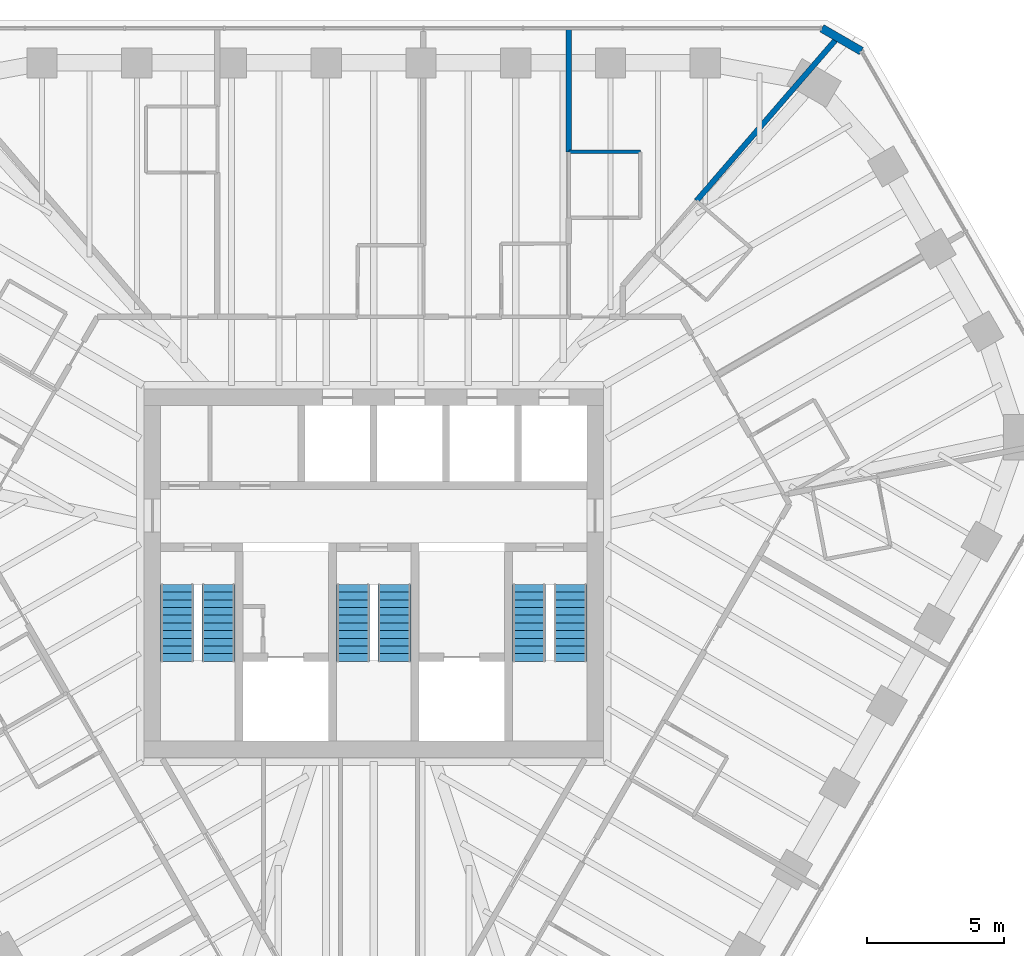
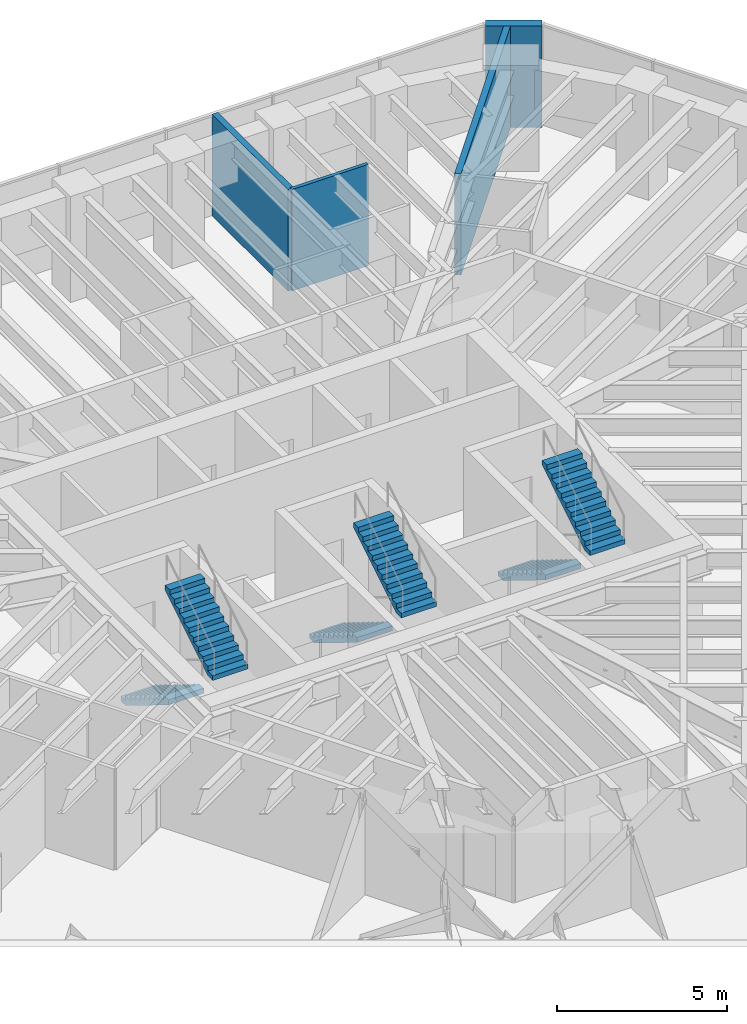
# One storey, part 13 of 14: 6 stair flights, 4 walls, 3 elements without a shape of their own.
"""IFC4 building model written with IfcOpenShell, lengths in metres."""

from ifc_helpers import new_model, si_unit, direction, frame, frame_2d, origin, place, context, subcontext, project, spatial, polyline, rectangle, outline, extrude, material, layer, layer_set, type_object, element, aggregate, save


model = new_model("IFC4")

# Units and contexts
model_context = context("Model", 3, precision=1e-05, world=origin(), true_north=direction((0.0, 1.0)))
body_context = subcontext(model_context, "Body", "Model", "MODEL_VIEW")
ifc_project = project(units=[si_unit("LENGTHUNIT", "METRE"), si_unit("AREAUNIT", "SQUARE_METRE"), si_unit("VOLUMEUNIT", "CUBIC_METRE"), si_unit("PLANEANGLEUNIT", "RADIAN"), si_unit("MASSUNIT", "GRAM", prefix="KILO")], contexts=[model_context])

# Site, building, storey
site_placement = place(None, origin())
site = spatial("IfcSite", under=ifc_project, at=site_placement, CompositionType="ELEMENT")
building_placement = place(site_placement, origin())
building = spatial("IfcBuilding", under=site, at=building_placement, Name="Sandreach Pilgrim Tower", CompositionType="ELEMENT")
storey_placement = place(building_placement, frame((0.0, 0.0, 276.0)))
storey = spatial("IfcBuildingStorey", under=building, at=storey_placement, Name="L69", CompositionType="ELEMENT", Elevation=276.0)

# Walls
ifc_material_1 = material(Name="Moisture-resistant gypsum board on steel studs", Category="steel")
ifc_layer_1 = layer(ifc_material_1, 0.1201171875)
ifc_layer_set_1 = layer_set([ifc_layer_1], Name="Bathroom partition 120")
wall_type_1 = type_object("IfcWallType", Name="Bathroom partition 120", PredefinedType="PARTITIONING", material=ifc_layer_set_1)
wall_1_placement = place(storey_placement, frame((9.699951171875, 15.330078125, 0.0), z_axis=(0.0, 0.0, 1.0), x_axis=(-1.0, 0.0, 0.0)))
element("IfcWall", 1, at=wall_1_placement, inside=storey, type_object=wall_type_1, Name="Bathroom partition L69-095", PredefinedType="PARTITIONING", context=body_context, shape_type="SweptSolid", body=[
    extrude(rectangle(XDim=2.599853515625, YDim=0.1201171875, at=frame_2d((1.2998046875, 0.0))), origin(), (0.0, 0.0, 1.0), 3.639892578125),
])
ifc_material_2 = material(Name="Double steel stud acoustic wall, gypsum board", Category="steel")
ifc_layer_2 = layer(ifc_material_2, 0.199951171875)
ifc_layer_set_2 = layer_set([ifc_layer_2], Name="Party wall 200")
wall_type_2 = type_object("IfcWallType", Name="Party wall 200", PredefinedType="PARTITIONING", material=ifc_layer_set_2)
wall_2_placement = place(storey_placement, frame((7.10009765625, 19.800048828125, 0.0), z_axis=(0.0, 0.0, 1.0), x_axis=(0.0, -1.0, 0.0)))
element("IfcWall", 2, at=wall_2_placement, inside=storey, type_object=wall_type_2, Name="Party wall L69-086", PredefinedType="PARTITIONING", context=body_context, shape_type="SweptSolid", body=[
    extrude(rectangle(XDim=4.469970703125, YDim=0.199951171875, at=frame_2d((2.23486328125, 0.0))), origin(), (0.0, 0.0, 1.0), 3.639892578125),
])
wall_3_placement = place(storey_placement, frame((11.739990234375, 13.550048828125, 0.0), z_axis=(0.0, 0.0, 1.0), x_axis=(0.654017705967, 0.756479239822, 0.0)))
element("IfcWall", 3, at=wall_3_placement, inside=storey, type_object=wall_type_2, Name="Party wall L69-102", PredefinedType="PARTITIONING", context=body_context, shape_type="SweptSolid", body=[
    extrude(rectangle(XDim=7.875, YDim=0.199951171875, at=frame_2d((3.9375, 0.0))), origin(), (0.0, 0.0, 1.0), 3.639892578125),
])
ifc_material_3 = material(Name="Terracotta rainscreen on concrete", Category="masonry")
ifc_layer_3 = layer(ifc_material_3, 0.300048828125)
ifc_layer_set_3 = layer_set([ifc_layer_3], Name="Terracotta chamfer pier")
wall_type_3 = type_object("IfcWallType", Name="Terracotta chamfer pier", PredefinedType="SOLIDWALL", material=ifc_layer_set_3)
wall_4_placement = place(storey_placement, frame((16.29833984375, 19.826416015625, 0.0), z_axis=(0.0, 0.0, 1.0), x_axis=(0.866026405774, -0.499998264499, 0.0)))
element("IfcWall", 4, at=wall_4_placement, inside=storey, type_object=wall_type_3, Name="Chamfer pier L69 N", PredefinedType="SOLIDWALL", context=body_context, shape_type="SweptSolid", body=[
    extrude(rectangle(XDim=1.66015625, YDim=0.300048828125, at=frame_2d((0.830078125, 0.0))), origin(), (0.0, 0.0, 1.0), 3.639892578125),
])

# Stair, stair flights
ifc_material_4 = material(Name="Concrete 8000 psi", Category="concrete")
stair_type = type_object("IfcStairType", Name="Core exit stair", PredefinedType="HALF_TURN_STAIR", material=ifc_material_4)
stair_1_placement = place(storey_placement, origin())
stair_1 = element("IfcStair", 5, at=stair_1_placement, inside=storey, type_object=stair_type, Name="Exit stair ST1 L69", PredefinedType="HALF_TURN_STAIR")
ifc_material_5 = material(Name="Concrete 8000 psi", Category="concrete")
stair_flight_type = type_object("IfcStairFlightType", Name="Core stair flight 1200", PredefinedType="STRAIGHT", material=ifc_material_5)
stair_flight_1_placement = place(storey_placement, frame((-7.14990234375, -0.39990234375, 0.0), z_axis=(0.0, 0.0, 1.0), x_axis=(0.0, -1.0, 0.0)))
stair_flight_1 = element("IfcStairFlight", 6, at=stair_flight_1_placement, type_object=stair_flight_type, Name="ST1 flight 1", NumberOfRisers=11, NumberOfTreads=10, PredefinedType="STRAIGHT", RiserHeight=0.172727273, TreadLength=0.28, context=body_context, shape_type="SweptSolid", body=[
    extrude(outline(polyline([(0.0, 0.0), (0.0, 0.172607421875), (0.280029296875, 0.172607421875), (0.280029296875, 0.345458984375), (0.56005859375, 0.345458984375), (0.56005859375, 0.51806640625), (0.840087890625, 0.51806640625), (0.840087890625, 0.69091796875), (1.1201171875, 0.69091796875), (1.1201171875, 0.863525390625), (1.39990234375, 0.863525390625), (1.39990234375, 1.036376953125), (1.679931640625, 1.036376953125), (1.679931640625, 1.208984375), (1.9599609375, 1.208984375), (1.9599609375, 1.3818359375), (2.239990234375, 1.3818359375), (2.239990234375, 1.554443359375), (2.52001953125, 1.554443359375), (2.52001953125, 1.727294921875), (2.800048828125, 1.727294921875), (2.800048828125, 1.89990234375), (2.800048828125, 1.551025390625), (0.285400390625, 0.0), (0.0, 0.0)])), frame((0.0, 0.60009765625, 0.0), z_axis=(0.0, -1.0, 0.0), x_axis=(1.0, 0.0, 0.0)), (0.0, 0.0, 1.0), 1.199951171875),
])
stair_flight_2_placement = place(storey_placement, frame((-5.64990234375, -3.199951171875, 1.89990234375), z_axis=(0.0, 0.0, 1.0), x_axis=(0.0, 1.0, 0.0)))
stair_flight_2 = element("IfcStairFlight", 7, at=stair_flight_2_placement, type_object=stair_flight_type, Name="ST1 flight 2", NumberOfRisers=11, NumberOfTreads=10, PredefinedType="STRAIGHT", RiserHeight=0.172727273, TreadLength=0.28, context=body_context, shape_type="SweptSolid", body=[
    extrude(outline(polyline([(0.0, 0.0), (0.0, 0.172607421875), (0.280029296875, 0.172607421875), (0.280029296875, 0.345458984375), (0.56005859375, 0.345458984375), (0.56005859375, 0.51806640625), (0.840087890625, 0.51806640625), (0.840087890625, 0.69091796875), (1.1201171875, 0.69091796875), (1.1201171875, 0.863525390625), (1.39990234375, 0.863525390625), (1.39990234375, 1.036376953125), (1.679931640625, 1.036376953125), (1.679931640625, 1.208984375), (1.9599609375, 1.208984375), (1.9599609375, 1.3818359375), (2.239990234375, 1.3818359375), (2.239990234375, 1.554443359375), (2.52001953125, 1.554443359375), (2.52001953125, 1.727294921875), (2.800048828125, 1.727294921875), (2.800048828125, 1.89990234375), (2.800048828125, 1.551025390625), (0.285400390625, 0.0), (0.0, 0.0)])), frame((0.0, 0.60009765625, 0.0), z_axis=(0.0, -1.0, 0.0), x_axis=(1.0, 0.0, 0.0)), (0.0, 0.0, 1.0), 1.199951171875),
])
aggregate(stair_1, [stair_flight_1, stair_flight_2])

stair_2_placement = place(storey_placement, origin())
stair_2 = element("IfcStair", 8, at=stair_2_placement, inside=storey, type_object=stair_type, Name="Exit stair ST3 L69", PredefinedType="HALF_TURN_STAIR")
stair_flight_3_placement = place(storey_placement, frame((-0.75, -0.39990234375, 0.0), z_axis=(0.0, 0.0, 1.0), x_axis=(0.0, -1.0, 0.0)))
stair_flight_3 = element("IfcStairFlight", 9, at=stair_flight_3_placement, type_object=stair_flight_type, Name="ST3 flight 1", NumberOfRisers=11, NumberOfTreads=10, PredefinedType="STRAIGHT", RiserHeight=0.172727273, TreadLength=0.28, context=body_context, shape_type="SweptSolid", body=[
    extrude(outline(polyline([(0.0, 0.0), (0.0, 0.172607421875), (0.280029296875, 0.172607421875), (0.280029296875, 0.345458984375), (0.56005859375, 0.345458984375), (0.56005859375, 0.51806640625), (0.840087890625, 0.51806640625), (0.840087890625, 0.69091796875), (1.1201171875, 0.69091796875), (1.1201171875, 0.863525390625), (1.39990234375, 0.863525390625), (1.39990234375, 1.036376953125), (1.679931640625, 1.036376953125), (1.679931640625, 1.208984375), (1.9599609375, 1.208984375), (1.9599609375, 1.3818359375), (2.239990234375, 1.3818359375), (2.239990234375, 1.554443359375), (2.52001953125, 1.554443359375), (2.52001953125, 1.727294921875), (2.800048828125, 1.727294921875), (2.800048828125, 1.89990234375), (2.800048828125, 1.551025390625), (0.285400390625, 0.0), (0.0, 0.0)])), frame((0.0, 0.60009765625, 0.0), z_axis=(0.0, -1.0, 0.0), x_axis=(1.0, 0.0, 0.0)), (0.0, 0.0, 1.0), 1.199951171875),
])
stair_flight_4_placement = place(storey_placement, frame((0.75, -3.199951171875, 1.89990234375), z_axis=(0.0, 0.0, 1.0), x_axis=(0.0, 1.0, 0.0)))
stair_flight_4 = element("IfcStairFlight", 10, at=stair_flight_4_placement, type_object=stair_flight_type, Name="ST3 flight 2", NumberOfRisers=11, NumberOfTreads=10, PredefinedType="STRAIGHT", RiserHeight=0.172727273, TreadLength=0.28, context=body_context, shape_type="SweptSolid", body=[
    extrude(outline(polyline([(0.0, 0.0), (0.0, 0.172607421875), (0.280029296875, 0.172607421875), (0.280029296875, 0.345458984375), (0.56005859375, 0.345458984375), (0.56005859375, 0.51806640625), (0.840087890625, 0.51806640625), (0.840087890625, 0.69091796875), (1.1201171875, 0.69091796875), (1.1201171875, 0.863525390625), (1.39990234375, 0.863525390625), (1.39990234375, 1.036376953125), (1.679931640625, 1.036376953125), (1.679931640625, 1.208984375), (1.9599609375, 1.208984375), (1.9599609375, 1.3818359375), (2.239990234375, 1.3818359375), (2.239990234375, 1.554443359375), (2.52001953125, 1.554443359375), (2.52001953125, 1.727294921875), (2.800048828125, 1.727294921875), (2.800048828125, 1.89990234375), (2.800048828125, 1.551025390625), (0.285400390625, 0.0), (0.0, 0.0)])), frame((0.0, 0.60009765625, 0.0), z_axis=(0.0, -1.0, 0.0), x_axis=(1.0, 0.0, 0.0)), (0.0, 0.0, 1.0), 1.199951171875),
])
aggregate(stair_2, [stair_flight_3, stair_flight_4])

stair_3_placement = place(storey_placement, origin())
stair_3 = element("IfcStair", 11, at=stair_3_placement, inside=storey, type_object=stair_type, Name="Exit stair ST2 L69", PredefinedType="HALF_TURN_STAIR")
stair_flight_5_placement = place(storey_placement, frame((5.64990234375, -0.39990234375, 0.0), z_axis=(0.0, 0.0, 1.0), x_axis=(0.0, -1.0, 0.0)))
stair_flight_5 = element("IfcStairFlight", 12, at=stair_flight_5_placement, type_object=stair_flight_type, Name="ST2 flight 1", NumberOfRisers=11, NumberOfTreads=10, PredefinedType="STRAIGHT", RiserHeight=0.172727273, TreadLength=0.28, context=body_context, shape_type="SweptSolid", body=[
    extrude(outline(polyline([(0.0, 0.0), (0.0, 0.172607421875), (0.280029296875, 0.172607421875), (0.280029296875, 0.345458984375), (0.56005859375, 0.345458984375), (0.56005859375, 0.51806640625), (0.840087890625, 0.51806640625), (0.840087890625, 0.69091796875), (1.1201171875, 0.69091796875), (1.1201171875, 0.863525390625), (1.39990234375, 0.863525390625), (1.39990234375, 1.036376953125), (1.679931640625, 1.036376953125), (1.679931640625, 1.208984375), (1.9599609375, 1.208984375), (1.9599609375, 1.3818359375), (2.239990234375, 1.3818359375), (2.239990234375, 1.554443359375), (2.52001953125, 1.554443359375), (2.52001953125, 1.727294921875), (2.800048828125, 1.727294921875), (2.800048828125, 1.89990234375), (2.800048828125, 1.551025390625), (0.285400390625, 0.0), (0.0, 0.0)])), frame((0.0, 0.60009765625, 0.0), z_axis=(0.0, -1.0, 0.0), x_axis=(1.0, 0.0, 0.0)), (0.0, 0.0, 1.0), 1.199951171875),
])
stair_flight_6_placement = place(storey_placement, frame((7.14990234375, -3.199951171875, 1.89990234375), z_axis=(0.0, 0.0, 1.0), x_axis=(0.0, 1.0, 0.0)))
stair_flight_6 = element("IfcStairFlight", 13, at=stair_flight_6_placement, type_object=stair_flight_type, Name="ST2 flight 2", NumberOfRisers=11, NumberOfTreads=10, PredefinedType="STRAIGHT", RiserHeight=0.172727273, TreadLength=0.28, context=body_context, shape_type="SweptSolid", body=[
    extrude(outline(polyline([(0.0, 0.0), (0.0, 0.172607421875), (0.280029296875, 0.172607421875), (0.280029296875, 0.345458984375), (0.56005859375, 0.345458984375), (0.56005859375, 0.51806640625), (0.840087890625, 0.51806640625), (0.840087890625, 0.69091796875), (1.1201171875, 0.69091796875), (1.1201171875, 0.863525390625), (1.39990234375, 0.863525390625), (1.39990234375, 1.036376953125), (1.679931640625, 1.036376953125), (1.679931640625, 1.208984375), (1.9599609375, 1.208984375), (1.9599609375, 1.3818359375), (2.239990234375, 1.3818359375), (2.239990234375, 1.554443359375), (2.52001953125, 1.554443359375), (2.52001953125, 1.727294921875), (2.800048828125, 1.727294921875), (2.800048828125, 1.89990234375), (2.800048828125, 1.551025390625), (0.285400390625, 0.0), (0.0, 0.0)])), frame((0.0, 0.60009765625, 0.0), z_axis=(0.0, -1.0, 0.0), x_axis=(1.0, 0.0, 0.0)), (0.0, 0.0, 1.0), 1.199951171875),
])
aggregate(stair_3, [stair_flight_5, stair_flight_6])

save(model, "model.ifc")
